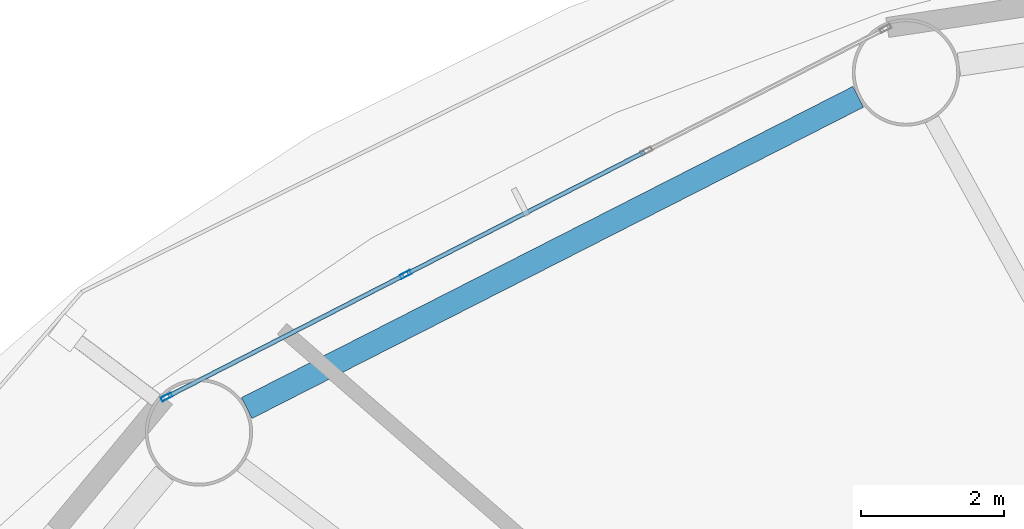
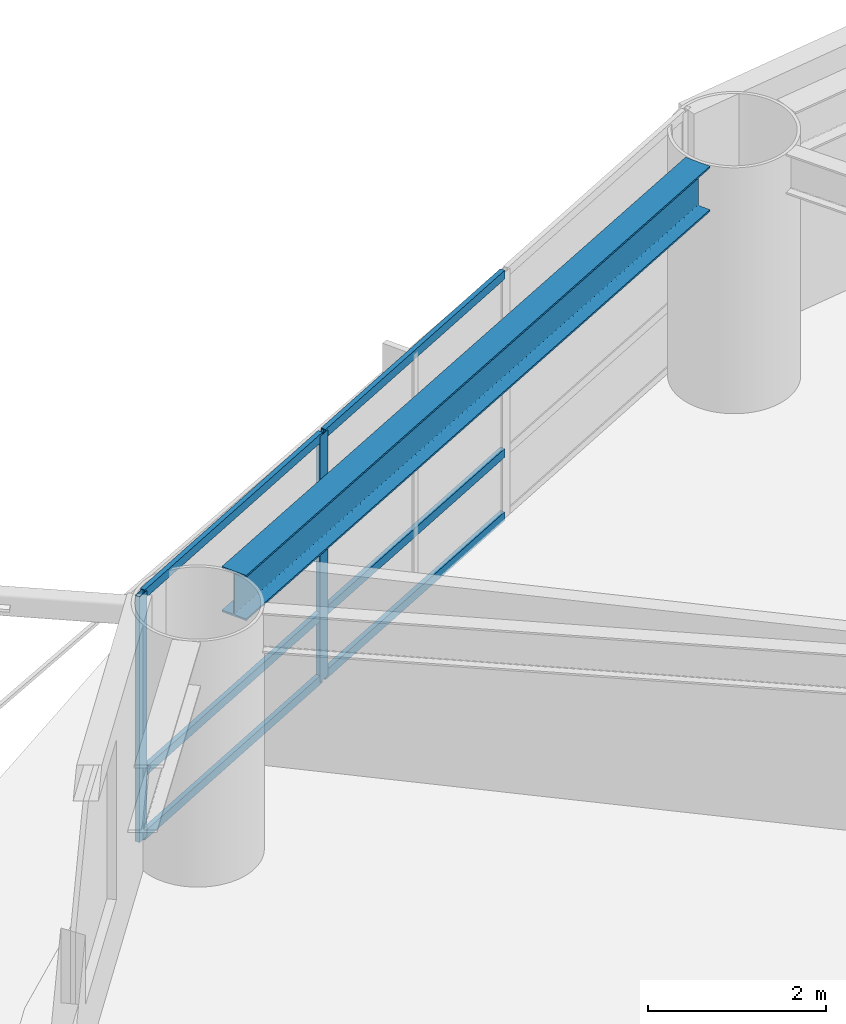
# One storey, part 10 of 26: 8 members, 1 beam, 1 element without a shape of its own.
"""IFC4 building model written with IfcOpenShell, lengths in metres."""

from ifc_helpers import new_model, si_unit, direction, frame, origin, origin_2d, place, context, subcontext, project, spatial, hollow_rectangle, i_section, extrude, material, layer, layer_set, material_profile, profile_set, type_object, element, aggregate, save


model = new_model("IFC4")

# Units and contexts
model_context = context("Model", 3, precision=1e-05, world=origin(), true_north=direction((0.0, 1.0)))
body_context = subcontext(model_context, "Body", "Model", "MODEL_VIEW")
ifc_project = project(units=[si_unit("LENGTHUNIT", "METRE"), si_unit("AREAUNIT", "SQUARE_METRE"), si_unit("VOLUMEUNIT", "CUBIC_METRE"), si_unit("PLANEANGLEUNIT", "RADIAN"), si_unit("MASSUNIT", "GRAM", prefix="KILO")], contexts=[model_context])

# Site, building, storey
site_placement = place(None, origin())
site = spatial("IfcSite", under=ifc_project, at=site_placement, CompositionType="ELEMENT")
building_placement = place(site_placement, origin())
building = spatial("IfcBuilding", under=site, at=building_placement, Name="Sarneth Arch Tower", CompositionType="ELEMENT")
storey_placement = place(building_placement, frame((0.0, 0.0, 71.39990234375)))
storey = spatial("IfcBuildingStorey", under=building, at=storey_placement, Name="L17", CompositionType="ELEMENT", Elevation=71.39990234375)

# Beam
ifc_material_1 = material(Name="Steel S355", Category="steel")
ifc_material_profile_1 = material_profile(ifc_material_1, i_section(OverallWidth=0.326904296875, OverallDepth=0.6220703125, WebThickness=0.015380859375, FlangeThickness=0.0244140625, FilletRadius=0.01904296875, at=origin_2d()), Name="W610x195")
ifc_profile_set_1 = profile_set([ifc_material_profile_1], Name="Steel S355")
beam_type = type_object("IfcBeamType", Name="BM-SPAN-610A", PredefinedType="SPANDREL", material=ifc_profile_set_1)
beam_placement = place(storey_placement, frame((35.513916015625, 63.09375, 3.069091796875), z_axis=(-0.891169106887, -0.453671271882, 0.0), x_axis=(0.453671271882, -0.891169106887, 0.0)))
element("IfcBeam", 1, at=beam_placement, inside=storey, type_object=beam_type, Name="L17 Perimeter spandrel beam 06", PredefinedType="SPANDREL", context=body_context, shape_type="SweptSolid", body=[
    extrude(i_section(OverallWidth=0.326904296875, OverallDepth=0.6220703125, WebThickness=0.015380859375, FlangeThickness=0.0244140625, FilletRadius=0.01904296875, at=origin_2d()), origin(), (0.0, 0.0, 1.0), 9.58544921875),
])

# Curtain wall, members
ifc_material_2 = material(Name="Anodised aluminium Type AA25 and solar-control low-e laminated IGU", Category="aluminium")
ifc_layer = layer(ifc_material_2, 0.159912109375)
ifc_layer_set = layer_set([ifc_layer], Name="Anodised aluminium Type AA25 and solar-control low-e laminated IGU")
curtain_wall_type = type_object("IfcCurtainWallType", Name="CW-HOTEL-LOW", PredefinedType="NOTDEFINED", material=ifc_layer_set)
curtain_wall_placement = place(storey_placement, origin())
curtain_wall = element("IfcCurtainWall", 2, at=curtain_wall_placement, inside=storey, type_object=curtain_wall_type, Name="L17 Unitised curtain wall facet 06", PredefinedType="NOTDEFINED")
ifc_material_3 = material(Name="Anodised Aluminium 6063-T6", Category="aluminium")
ifc_material_profile_2 = material_profile(ifc_material_3, hollow_rectangle(XDim=0.06005859375, YDim=0.159912109375, WallThickness=0.00390625, at=origin_2d()), Name="AL-MULL-160x60x4")
ifc_profile_set_2 = profile_set([ifc_material_profile_2], Name="Anodised Aluminium 6063-T6")
member_type_1 = type_object("IfcMemberType", Name="CW-MULLION", PredefinedType="MULLION", material=ifc_profile_set_2)
member_1_placement = place(storey_placement, frame((29.19140625, 60.611328125, 0.0), z_axis=(0.0, 0.0, 1.0), x_axis=(0.456245197127, -0.889854100456, 0.0)))
member_1 = element("IfcMember", 3, at=member_1_placement, type_object=member_type_1, Name="CW-SYS-3 mullion 3", PredefinedType="MULLION", context=body_context, shape_type="SweptSolid", body=[
    extrude(hollow_rectangle(XDim=0.06005859375, YDim=0.159912109375, WallThickness=0.00390625, at=origin_2d()), origin(), (0.0, 0.0, 1.0), 3.380126953125),
])
member_2_placement = place(storey_placement, frame((25.8525390625, 58.8994140625, 0.0), z_axis=(0.0, 0.0, 1.0), x_axis=(0.456245197127, -0.889854100456, 0.0)))
member_2 = element("IfcMember", 4, at=member_2_placement, type_object=member_type_1, Name="CW-SYS-3 mullion 4", PredefinedType="MULLION", context=body_context, shape_type="SweptSolid", body=[
    extrude(hollow_rectangle(XDim=0.06005859375, YDim=0.159912109375, WallThickness=0.00390625, at=origin_2d()), origin(), (0.0, 0.0, 1.0), 3.380126953125),
])
ifc_material_4 = material(Name="Anodised Aluminium 6063-T6", Category="aluminium")
ifc_material_profile_3 = material_profile(ifc_material_4, hollow_rectangle(XDim=0.06005859375, YDim=0.1201171875, WallThickness=0.00390625, at=origin_2d()), Name="AL-TRAN-120x60x4")
ifc_profile_set_3 = profile_set([ifc_material_profile_3], Name="Anodised Aluminium 6063-T6")
member_type_2 = type_object("IfcMemberType", Name="CW-TRANSOM", PredefinedType="USERDEFINED", material=ifc_profile_set_3)
member_3_placement = place(storey_placement, frame((32.530029296875, 62.322998046875, 0.030029296875), z_axis=(-0.889868677022, -0.456216766083, 0.0), x_axis=(0.456216766083, -0.889868677022, 0.0)))
member_3 = element("IfcMember", 5, at=member_3_placement, type_object=member_type_2, Name="CW-SYS-3 transom 2.1", ObjectType="TRANSOM", PredefinedType="USERDEFINED", context=body_context, shape_type="SweptSolid", body=[
    extrude(hollow_rectangle(XDim=0.06005859375, YDim=0.1201171875, WallThickness=0.00390625, at=origin_2d()), origin(), (0.0, 0.0, 1.0), 3.721923828125),
])
member_4_placement = place(storey_placement, frame((32.530029296875, 62.322998046875, 0.900146484375), z_axis=(-0.889868677022, -0.456216766083, 0.0), x_axis=(0.456216766083, -0.889868677022, 0.0)))
member_4 = element("IfcMember", 6, at=member_4_placement, type_object=member_type_2, Name="CW-SYS-3 transom 2.2", ObjectType="TRANSOM", PredefinedType="USERDEFINED", context=body_context, shape_type="SweptSolid", body=[
    extrude(hollow_rectangle(XDim=0.06005859375, YDim=0.1201171875, WallThickness=0.00390625, at=origin_2d()), origin(), (0.0, 0.0, 1.0), 3.721923828125),
])
member_5_placement = place(storey_placement, frame((32.530029296875, 62.322998046875, 3.35009765625), z_axis=(-0.889868677022, -0.456216766083, 0.0), x_axis=(0.456216766083, -0.889868677022, 0.0)))
member_5 = element("IfcMember", 7, at=member_5_placement, type_object=member_type_2, Name="CW-SYS-3 transom 2.3", ObjectType="TRANSOM", PredefinedType="USERDEFINED", context=body_context, shape_type="SweptSolid", body=[
    extrude(hollow_rectangle(XDim=0.06005859375, YDim=0.1201171875, WallThickness=0.00390625, at=origin_2d()), origin(), (0.0, 0.0, 1.0), 3.721923828125),
])
member_6_placement = place(storey_placement, frame((29.16455078125, 60.597412109375, 0.030029296875), z_axis=(-0.889871845224, -0.456210586327, 0.0), x_axis=(0.456210586327, -0.889871845224, 0.0)))
member_6 = element("IfcMember", 8, at=member_6_placement, type_object=member_type_2, Name="CW-SYS-3 transom 3.1", ObjectType="TRANSOM", PredefinedType="USERDEFINED", context=body_context, shape_type="SweptSolid", body=[
    extrude(hollow_rectangle(XDim=0.06005859375, YDim=0.1201171875, WallThickness=0.00390625, at=origin_2d()), origin(), (0.0, 0.0, 1.0), 3.69189453125),
])
member_7_placement = place(storey_placement, frame((29.16455078125, 60.597412109375, 0.900146484375), z_axis=(-0.889871845224, -0.456210586327, 0.0), x_axis=(0.456210586327, -0.889871845224, 0.0)))
member_7 = element("IfcMember", 9, at=member_7_placement, type_object=member_type_2, Name="CW-SYS-3 transom 3.2", ObjectType="TRANSOM", PredefinedType="USERDEFINED", context=body_context, shape_type="SweptSolid", body=[
    extrude(hollow_rectangle(XDim=0.06005859375, YDim=0.1201171875, WallThickness=0.00390625, at=origin_2d()), origin(), (0.0, 0.0, 1.0), 3.69189453125),
])
member_8_placement = place(storey_placement, frame((29.16455078125, 60.597412109375, 3.35009765625), z_axis=(-0.889871845224, -0.456210586327, 0.0), x_axis=(0.456210586327, -0.889871845224, 0.0)))
member_8 = element("IfcMember", 10, at=member_8_placement, type_object=member_type_2, Name="CW-SYS-3 transom 3.3", ObjectType="TRANSOM", PredefinedType="USERDEFINED", context=body_context, shape_type="SweptSolid", body=[
    extrude(hollow_rectangle(XDim=0.06005859375, YDim=0.1201171875, WallThickness=0.00390625, at=origin_2d()), origin(), (0.0, 0.0, 1.0), 3.69189453125),
])
aggregate(curtain_wall, [member_1, member_2, member_3, member_4, member_5, member_6, member_7, member_8])

save(model, "model.ifc")
